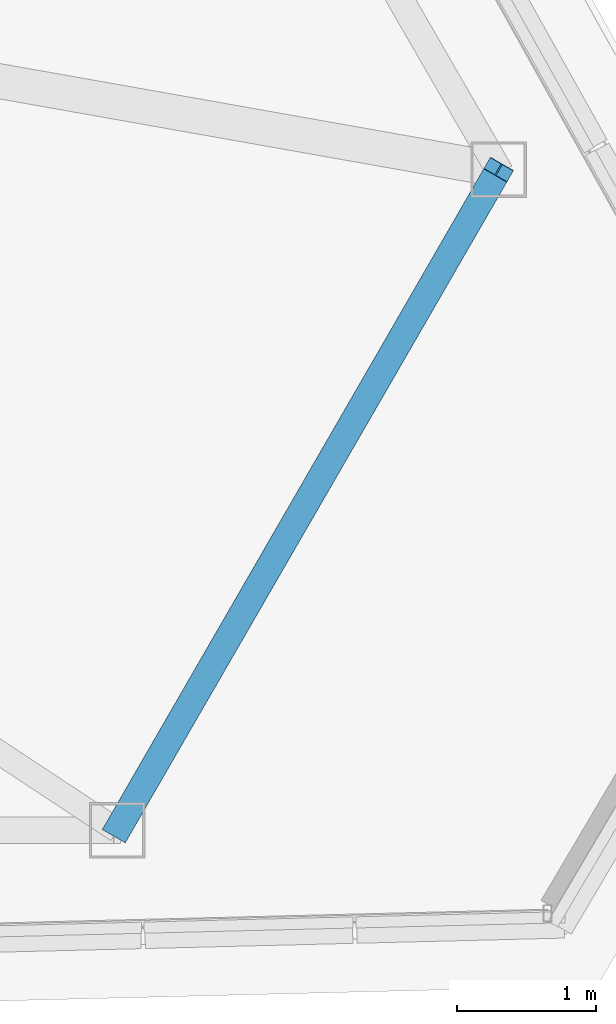
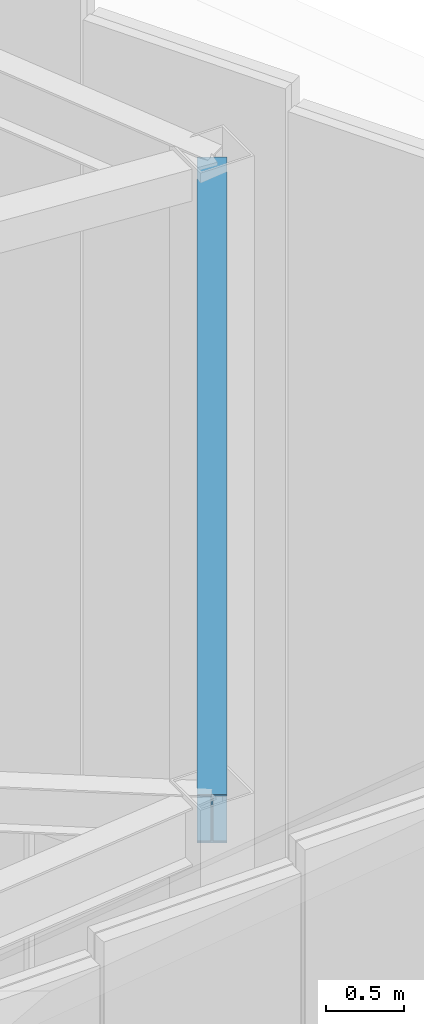
# One storey, part 23 of 50: 1 beam.
"""IFC4 building model written with IfcOpenShell, lengths in metres."""

import ifcopenshell
import ifcopenshell.guid

model = None  # the IFC model being written
_history = None  # IfcOwnerHistory: only IFC2X3 demands one
_inside = {}  # id of a spatial element -> (the spatial element, [elements in it])
_under = {}  # id of a project, library or spatial element -> (it, [spatial elements below it])
_declared = {}  # id of a project -> (the project, [libraries it declares])
_typed = {}  # id of a type object -> (the type object, [elements of that type])
_made_of = {}  # id of a material, layer set ... -> (it, [elements and type objects made of it])


def new_model(schema):
    """Start an empty IFC model of exactly this schema.

    Asked for "IFC4X3", IfcOpenShell would pick the latest addendum, in which some entities
    have other attributes; the version numbers below select the first issue.
    IFC2X3 requires an IfcOwnerHistory on every rooted entity: one is made here for all.
    """
    global model, _history
    if schema == "IFC4X3":
        model = ifcopenshell.file(schema_version=(4, 3, 0, 0))
    else:
        model = ifcopenshell.file(schema=schema)
    _inside.clear()
    _under.clear()
    _declared.clear()
    _typed.clear()
    _made_of.clear()
    _history = None
    if model.schema == "IFC2X3":
        org = make("IfcOrganization", Name="unknown")
        user = make(
            "IfcPersonAndOrganization",
            ThePerson=make("IfcPerson", FamilyName="unknown"),
            TheOrganization=org,
        )
        app = make(
            "IfcApplication",
            ApplicationDeveloper=org,
            Version="unknown",
            ApplicationFullName="unknown",
            ApplicationIdentifier="unknown",
        )
        _history = make(
            "IfcOwnerHistory",
            OwningUser=user,
            OwningApplication=app,
            ChangeAction="ADDED",
            CreationDate=0,
        )
    return model


def make(cls, **values):
    """One entity of the class cls with the attributes given. An attribute that is None is left unset."""
    return model.create_entity(
        cls, **{name: value for name, value in values.items() if value is not None}
    )


def rooted(cls, **values):
    """An entity with a GlobalId (a new one), such as an element, a storey or a relation."""
    return make(cls, GlobalId=ifcopenshell.guid.new(), OwnerHistory=_history, **values)


def si_unit(unit_type, name, prefix=None):
    """IfcSIUnit, for example si_unit("LENGTHUNIT", "METRE", prefix="MILLI")."""
    return make("IfcSIUnit", UnitType=unit_type, Prefix=prefix, Name=name)


def assignment(units):
    """IfcUnitAssignment: the units of a project."""
    return None if units is None else make("IfcUnitAssignment", Units=units)


def point(xyz):
    """IfcCartesianPoint."""
    return None if xyz is None else make("IfcCartesianPoint", Coordinates=xyz)


def direction(xyz):
    """IfcDirection."""
    return None if xyz is None else make("IfcDirection", DirectionRatios=xyz)


def frame(location, z_axis=None, x_axis=None):
    """IfcAxis2Placement3D, a coordinate frame: its origin and axes. An axis left out is left unset."""
    return make(
        "IfcAxis2Placement3D",
        Location=point(location),
        Axis=direction(z_axis),
        RefDirection=direction(x_axis),
    )


def frame_2d(location, x_axis=None):
    """IfcAxis2Placement2D, a coordinate frame in the plane: its origin and x axis."""
    return make(
        "IfcAxis2Placement2D", Location=point(location), RefDirection=direction(x_axis)
    )


def origin():
    """The frame at (0, 0, 0) with its axes left unset."""
    return frame((0.0, 0.0, 0.0))


def origin_2d():
    """The frame at (0, 0) in the plane with its x axis left unset."""
    return frame_2d((0.0, 0.0))


def place(relative_to, where):
    """IfcLocalPlacement: puts the frame where relative to a parent placement (None: the world)."""
    return make(
        "IfcLocalPlacement", PlacementRelTo=relative_to, RelativePlacement=where
    )


def context(
    kind, dimensions, precision=None, world=None, true_north=None, identifier=None
):
    """IfcGeometricRepresentationContext, for example the 3D "Model" context."""
    return make(
        "IfcGeometricRepresentationContext",
        ContextIdentifier=identifier,
        ContextType=kind,
        CoordinateSpaceDimension=dimensions,
        Precision=precision,
        WorldCoordinateSystem=world,
        TrueNorth=true_north,
    )


def subcontext(parent, identifier, kind, view, scale=None):
    """IfcGeometricRepresentationSubContext, for example "Body" below "Model"."""
    return make(
        "IfcGeometricRepresentationSubContext",
        ContextIdentifier=identifier,
        ContextType=kind,
        ParentContext=parent,
        TargetScale=scale,
        TargetView=view,
    )


def project(units=None, contexts=None):
    """IfcProject with its units and contexts."""
    return rooted(
        "IfcProject",
        Name="project",
        RepresentationContexts=contexts,
        UnitsInContext=assignment(units),
    )


def spatial(cls, under=None, at=None, **own):
    """A site, building, storey or space (cls), placed at a placement, below another one or the project."""
    s = rooted(cls, ObjectPlacement=at, **own)
    if under is not None:
        _under.setdefault(under.id(), (under, []))[1].append(s)
    return s


def profile(cls, at=None, kind="AREA", **sizes):
    """A parametric profile (cls). Its sizes go by their IFC names, for example OverallWidth=200.0."""
    return make(cls, ProfileType=kind, Position=at, **sizes)


def i_section(**sizes):
    """IfcIShapeProfileDef."""
    return profile("IfcIShapeProfileDef", **sizes)


def extrude(swept, where, along, depth):
    """IfcExtrudedAreaSolid: the profile swept, set in the frame where, extruded along a direction by depth."""
    return make(
        "IfcExtrudedAreaSolid",
        SweptArea=swept,
        Position=where,
        ExtrudedDirection=direction(along),
        Depth=depth,
    )


def shape(context_of_items, identifier, shape_type, items):
    """IfcShapeRepresentation: the items that make up one representation, for example the "Body"."""
    return make(
        "IfcShapeRepresentation",
        ContextOfItems=context_of_items,
        RepresentationIdentifier=identifier,
        RepresentationType=shape_type,
        Items=items,
    )


def source(mapping_origin, context_of_items, identifier, shape_type, items):
    """IfcRepresentationMap: a shape defined once, which mapped items show again and again."""
    return make(
        "IfcRepresentationMap",
        MappingOrigin=mapping_origin,
        MappedRepresentation=shape(context_of_items, identifier, shape_type, items),
    )


def transform(
    local_origin,
    x_axis=None,
    y_axis=None,
    z_axis=None,
    scale=None,
    scale2=None,
    scale3=None,
    uniform=True,
):
    """IfcCartesianTransformationOperator3D, or its non-uniform kind. x_axis, y_axis, z_axis: its Axis1, 2, 3."""
    if uniform:
        return make(
            "IfcCartesianTransformationOperator3D",
            Axis1=direction(x_axis),
            Axis2=direction(y_axis),
            LocalOrigin=point(local_origin),
            Scale=scale,
            Axis3=direction(z_axis),
        )
    return make(
        "IfcCartesianTransformationOperator3DnonUniform",
        Axis1=direction(x_axis),
        Axis2=direction(y_axis),
        LocalOrigin=point(local_origin),
        Scale=scale,
        Axis3=direction(z_axis),
        Scale2=scale2,
        Scale3=scale3,
    )


def mapped(mapping_source, mapping_target):
    """IfcMappedItem: shows the shape of a source again, moved by a transform."""
    return make(
        "IfcMappedItem", MappingSource=mapping_source, MappingTarget=mapping_target
    )


def material(Name=None, Category=None):
    """IfcMaterial."""
    return make("IfcMaterial", Name=Name, Category=Category)


def material_profile(
    of_material, cross_section, Name=None, Category=None, Priority=None
):
    """IfcMaterialProfile: a cross section and its material."""
    return make(
        "IfcMaterialProfile",
        Name=Name,
        Material=of_material,
        Profile=cross_section,
        Priority=Priority,
        Category=Category,
    )


def profile_set(profiles, Name=None, composite=None):
    """IfcMaterialProfileSet."""
    return make(
        "IfcMaterialProfileSet",
        Name=Name,
        MaterialProfiles=profiles,
        CompositeProfile=composite,
    )


def made_of(thing, what):
    """Note that an element or type object is made of a material, layer set ...; save() writes the relation."""
    if what is not None:
        _made_of.setdefault(what.id(), (what, []))[1].append(thing)
    return thing


def type_object(cls, material=None, **own):
    """A type object (cls), such as IfcWallType, which elements share."""
    return made_of(rooted(cls, **own), material)


def type_shapes(of_type, sources):
    """Give a type object the sources (RepresentationMaps) that its elements show as mapped items."""
    of_type.RepresentationMaps = sources


def element(
    cls,
    number,
    at=None,
    inside=None,
    cuts=None,
    type_object=None,
    material=None,
    context=None,
    identifier="Body",
    shape_type=None,
    held_by="IfcProductDefinitionShape",
    body=None,
    shapes=None,
    **own,
):
    """One element of the class cls, such as IfcWall. Its Tag is "e" and its number.

    at: its placement. inside: the storey or other place that contains it. cuts: it is an
    opening in that element (IfcRelVoidsElement). A single representation is given by context,
    identifier, shape_type and body (its items); several are given by shapes. held_by: the class
    of the entity that holds the representations. save() writes the other relations.
    """
    e = rooted(cls, Tag="e%d" % number, ObjectPlacement=at, **own)
    if body is not None:
        shapes = [shape(context, identifier, shape_type, body)]
    if shapes is not None:
        e.Representation = make(held_by, Representations=shapes)
    if inside is not None:
        _inside.setdefault(inside.id(), (inside, []))[1].append(e)
    if cuts is not None:
        rooted(
            "IfcRelVoidsElement", RelatingBuildingElement=cuts, RelatedOpeningElement=e
        )
    if type_object is not None:
        _typed.setdefault(type_object.id(), (type_object, []))[1].append(e)
    return made_of(e, material)


def aggregate(whole, parts):
    """IfcRelAggregates: a whole, such as a stair, and the parts it consists of."""
    return rooted("IfcRelAggregates", RelatingObject=whole, RelatedObjects=parts)


def save(model, path):
    """Write the relations noted so far, then the file.

    IfcRelAggregates (storeys below a building ...), IfcRelContainedInSpatialStructure (elements
    in a storey), IfcRelDefinesByType, IfcRelAssociatesMaterial and IfcRelDeclares: one each for
    every whole, place, type object, material and project.
    """
    for whole, parts in _under.values():
        aggregate(whole, parts)
    for where, things in _inside.values():
        rooted(
            "IfcRelContainedInSpatialStructure",
            RelatedElements=things,
            RelatingStructure=where,
        )
    for kind, things in _typed.values():
        rooted("IfcRelDefinesByType", RelatedObjects=things, RelatingType=kind)
    for what, things in _made_of.values():
        rooted("IfcRelAssociatesMaterial", RelatedObjects=things, RelatingMaterial=what)
    for by, libraries in _declared.values():
        rooted("IfcRelDeclares", RelatingContext=by, RelatedDefinitions=libraries)
    model.write(path)


model = new_model("IFC4")

# Units and contexts
model_context = context("Model", 3, precision=1e-05, world=origin(), true_north=direction((0.0, 1.0)))
body_context = subcontext(model_context, "Body", "Model", "MODEL_VIEW")
ifc_project = project(units=[si_unit("LENGTHUNIT", "METRE"), si_unit("AREAUNIT", "SQUARE_METRE"), si_unit("VOLUMEUNIT", "CUBIC_METRE"), si_unit("PLANEANGLEUNIT", "RADIAN"), si_unit("MASSUNIT", "GRAM", prefix="KILO")], contexts=[model_context])

# Site, building, storey
site_placement = place(None, origin())
site = spatial("IfcSite", under=ifc_project, at=site_placement, CompositionType="ELEMENT")
building_placement = place(site_placement, origin())
building = spatial("IfcBuilding", under=site, at=building_placement, Name="Caelisora Broadcast Tower", CompositionType="ELEMENT")
storey_placement = place(building_placement, frame((0.0, 0.0, 303.39990234375)))
storey = spatial("IfcBuildingStorey", under=building, at=storey_placement, Name="L80", CompositionType="ELEMENT", Elevation=303.39990234375)

# Beam
ifc_material = material(Name="Steel Grade 350 (AS/NZS 3679.1)", Category="steel")
ifc_material_profile = material_profile(ifc_material, i_section(OverallWidth=0.19091796875, OverallDepth=0.46044921875, WebThickness=0.010009765625, FlangeThickness=0.01611328125, at=origin_2d()), Name="Steel Grade 350 (AS/NZS 3679.1)")
ifc_profile_set = profile_set([ifc_material_profile], Name="Steel Grade 350 (AS/NZS 3679.1)")
beam_type = type_object("IfcBeamType", Name="RB01", PredefinedType="USERDEFINED", material=ifc_profile_set)
shared_shape = source(origin(), body_context, "Body", "SweptSolid", [
    extrude(i_section(OverallWidth=0.19091796875, OverallDepth=0.46044921875, WebThickness=0.010009765625, FlangeThickness=0.01611328125, at=origin_2d()), origin(), (0.0, 0.0, 1.0), 5.602783203125),
])
type_shapes(beam_type, [shared_shape])
beam_placement = place(storey_placement, frame((56.338134765625, 10.25, 8.1455078125), z_axis=(0.488826547179, 0.846666055596, 0.210250320034), x_axis=(-0.866023777374, 0.500002817014, 0.0)))
element("IfcBeam", 1, at=beam_placement, inside=storey, type_object=beam_type, Name="L80 beam RB01", ObjectType="RAFTER", PredefinedType="USERDEFINED", context=body_context, shape_type="MappedRepresentation", body=[
    mapped(shared_shape, transform((0.0, 0.0, 0.0), scale=1.0)),
])

save(model, "model.ifc")
